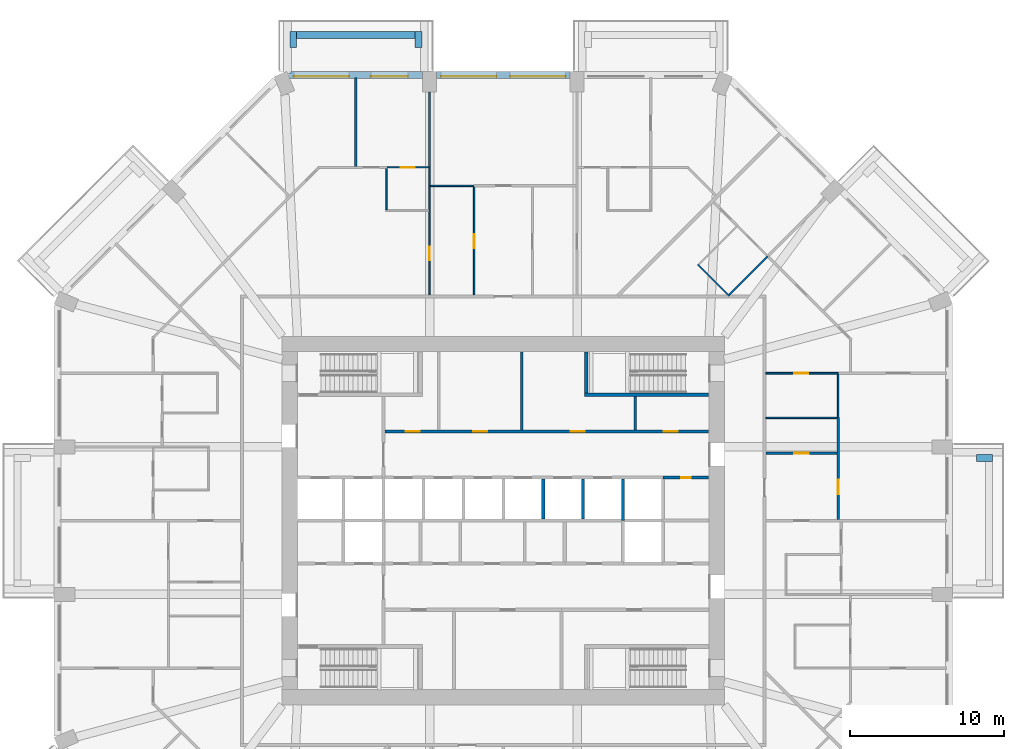
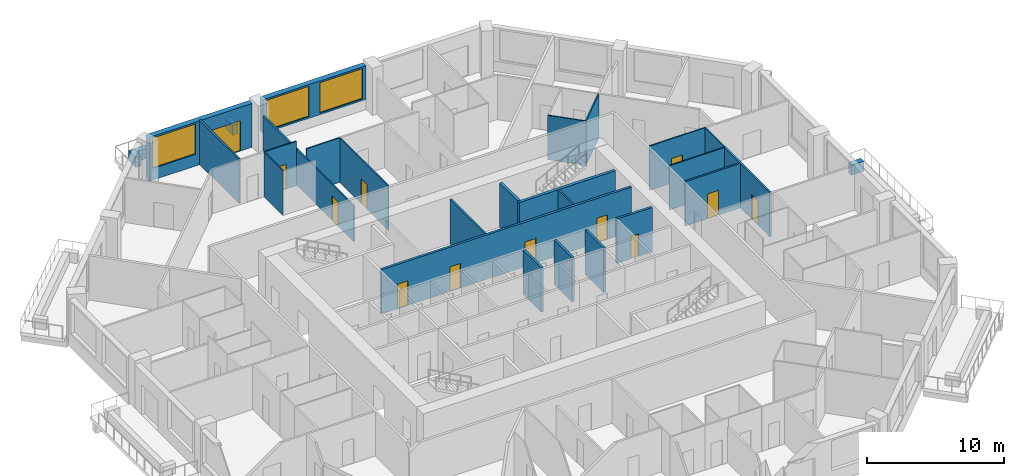
# One storey, part 9 of 13: 29 walls, 12 doors, 3 windows, 15 openings.
"""IFC4 building model written with IfcOpenShell, lengths in metres."""

from ifc_helpers import new_model, si_unit, direction, frame, frame_2d, origin, place, context, subcontext, project, spatial, rectangle, extrude, material, layer, layer_set, type_object, element, fill, save


model = new_model("IFC4")

# Units and contexts
model_context = context("Model", 3, precision=1e-05, world=origin(), true_north=direction((0.0, 1.0)))
body_context = subcontext(model_context, "Body", "Model", "MODEL_VIEW")
ifc_project = project(units=[si_unit("LENGTHUNIT", "METRE"), si_unit("AREAUNIT", "SQUARE_METRE"), si_unit("VOLUMEUNIT", "CUBIC_METRE"), si_unit("PLANEANGLEUNIT", "RADIAN"), si_unit("MASSUNIT", "GRAM", prefix="KILO")], contexts=[model_context])

# Site, building, storey
site_placement = place(None, origin())
site = spatial("IfcSite", under=ifc_project, at=site_placement, CompositionType="ELEMENT")
building_placement = place(site_placement, origin())
building = spatial("IfcBuilding", under=site, at=building_placement, Name="Msitu Wima Residences", CompositionType="ELEMENT")
storey_placement = place(building_placement, frame((0.0, 0.0, 75.89990234375)))
storey = spatial("IfcBuildingStorey", under=building, at=storey_placement, Name="L17", CompositionType="ELEMENT", Elevation=75.89990234375)

# Walls
ifc_material_1 = material(Name="Facing brick")
ifc_layer_1 = layer(ifc_material_1, 0.06494140625, Name="Facing brick")
ifc_material_2 = material(Name="Concrete C40/50", Category="concrete")
ifc_layer_2 = layer(ifc_material_2, 0.156005859375, Name="Concrete C40/50")
ifc_material_3 = material(Name="Waterproofing membrane")
ifc_layer_3 = layer(ifc_material_3, 0.00390625, Name="Waterproofing membrane")
ifc_material_4 = material(Name="Planting soil and planting")
ifc_layer_4 = layer(ifc_material_4, 0.22509765625, Name="Planting soil and planting")
ifc_layer_set_1 = layer_set([ifc_layer_1, ifc_layer_2, ifc_layer_3, ifc_layer_4], Name="Concrete C40/50")
wall_type_1 = type_object("IfcWallType", Name="Balcony planter PLANTER PL450", PredefinedType="USERDEFINED", material=ifc_layer_set_1)
wall_1_placement = place(storey_placement, frame((30.800048828125, 4.074951171875, 0.0), z_axis=(0.0, 0.0, 1.0), x_axis=(1.0, 0.0, 0.0)))
element("IfcWall", 1, at=wall_1_placement, inside=storey, type_object=wall_type_1, Name="Balcony planter E1 L17", ObjectType="PLANTER", PredefinedType="USERDEFINED", context=body_context, shape_type="SweptSolid", body=[
    extrude(rectangle(XDim=1.050048828125, YDim=0.449951171875, at=frame_2d((0.52490234375, 0.0))), origin(), (0.0, 0.0, 1.0), 0.900146484375),
])
wall_2_placement = place(storey_placement, frame((-5.75, 31.625, 0.0), z_axis=(0.0, 0.0, 1.0), x_axis=(-1.0, 0.0, 0.0)))
element("IfcWall", 2, at=wall_2_placement, inside=storey, type_object=wall_type_1, Name="Balcony planter N2 L17", ObjectType="PLANTER", PredefinedType="USERDEFINED", context=body_context, shape_type="SweptSolid", body=[
    extrude(rectangle(XDim=7.699951171875, YDim=0.449951171875, at=frame_2d((3.85009765625, 0.0))), origin(), (0.0, 0.0, 1.0), 0.900146484375),
])
for number, where, z_axis, x_axis, name in (
    (3, (-5.52490234375, 30.800048828125, 0.0), (0.0, 0.0, 1.0), (0.0, 1.0, 0.0), "Balcony planter N2 L17"),
    (4, (-13.675048828125, 30.800048828125, 0.0), (0.0, 0.0, 1.0), (0.0, 1.0, 0.0), "Balcony planter N2 L17"),
):
    element("IfcWall", number, at=place(storey_placement, frame(where, z_axis=z_axis, x_axis=x_axis)), inside=storey, type_object=wall_type_1, Name=name, ObjectType="PLANTER", PredefinedType="USERDEFINED", context=body_context, shape_type="SweptSolid", body=[
        extrude(rectangle(XDim=1.050048828125, YDim=0.449951171875, at=frame_2d((0.52490234375, 0.0))), origin(), (0.0, 0.0, 1.0), 0.900146484375),
    ])

# Wall, openings, windows
ifc_material_5 = material(Name="Brick (red buff mix)", Category="masonry")
ifc_layer_5 = layer(ifc_material_5, 0.449951171875)
ifc_layer_set_2 = layer_set([ifc_layer_5], Name="Brick (red buff mix)")
wall_type_2 = type_object("IfcWallType", Name="Brick infill wall BW450", PredefinedType="SOLIDWALL", material=ifc_layer_set_2)
wall_3_placement = place(storey_placement, frame((4.35009765625, 29.02490234375, 0.900146484375), z_axis=(0.0, 0.0, 1.0), x_axis=(-1.0, 0.0, 0.0)))
wall_3 = element("IfcWall", 5, at=wall_3_placement, inside=storey, type_object=wall_type_2, Name="Brick infill wall L17 N1", PredefinedType="SOLIDWALL", context=body_context, shape_type="SweptSolid", body=[
    extrude(rectangle(XDim=8.7001953125, YDim=0.449951171875, at=frame_2d((4.35009765625, 0.0))), origin(), (0.0, 0.0, 1.0), 3.0),
])
opening_1_placement = place(wall_3_placement, frame((0.300048828125, 0.0, 0.14990234375)))
opening_1 = element("IfcOpeningElement", 6, at=opening_1_placement, cuts=wall_3, Name="Opening W16-17.007", PredefinedType="OPENING", context=body_context, shape_type="SweptSolid", body=[
    extrude(rectangle(XDim=3.60009765625, YDim=2.699951171875, at=frame_2d((1.800048828125, 1.35009765625))), frame((0.0, 0.23486328125, 0.0), z_axis=(0.0, -1.0, 0.0), x_axis=(1.0, 0.0, 0.0)), (0.0, 0.0, 1.0), 0.469970703125),
])
opening_2_placement = place(wall_3_placement, frame((4.800048828125, 0.0, 0.14990234375)))
opening_2 = element("IfcOpeningElement", 7, at=opening_2_placement, cuts=wall_3, Name="Opening W16-17.008", PredefinedType="OPENING", context=body_context, shape_type="SweptSolid", body=[
    extrude(rectangle(XDim=3.60009765625, YDim=2.699951171875, at=frame_2d((1.800048828125, 1.35009765625))), frame((0.0, 0.23486328125, 0.0), z_axis=(0.0, -1.0, 0.0), x_axis=(1.0, 0.0, 0.0)), (0.0, 0.0, 1.0), 0.469970703125),
])
ifc_material_6 = material(Name="Anodised aluminium, bronze finish, clear low-emissivity double glazing", Category="aluminium")
window_type = type_object("IfcWindowType", Name="Window W3600x2700", PartitioningType="DOUBLE_PANEL_VERTICAL", PredefinedType="WINDOW", material=ifc_material_6)
window_1_placement = place(opening_1_placement, origin())
window_1 = element("IfcWindow", 8, at=window_1_placement, inside=storey, type_object=window_type, Name="Window L17 N1.1", OverallHeight=2.699951171875, OverallWidth=3.60009765625, PartitioningType="SINGLE_PANEL", PredefinedType="WINDOW", context=body_context, shape_type="SweptSolid", body=[
    extrude(rectangle(XDim=3.60009765625, YDim=2.699951171875, at=frame_2d((1.800048828125, 1.35009765625))), frame((0.0, 0.135009765625, 0.0), z_axis=(0.0, -1.0, 0.0), x_axis=(1.0, 0.0, 0.0)), (0.0, 0.0, 1.0), 0.06005859375),
])
fill(opening_1, window_1)
window_2_placement = place(opening_2_placement, origin())
window_2 = element("IfcWindow", 9, at=window_2_placement, inside=storey, type_object=window_type, Name="Window L17 N1.2", OverallHeight=2.699951171875, OverallWidth=3.60009765625, PartitioningType="SINGLE_PANEL", PredefinedType="WINDOW", context=body_context, shape_type="SweptSolid", body=[
    extrude(rectangle(XDim=3.60009765625, YDim=2.699951171875, at=frame_2d((1.800048828125, 1.35009765625))), frame((0.0, 0.135009765625, 0.0), z_axis=(0.0, -1.0, 0.0), x_axis=(1.0, 0.0, 0.0)), (0.0, 0.0, 1.0), 0.06005859375),
])
fill(opening_2, window_2)

# Wall, openings, door, window
wall_4_placement = place(storey_placement, frame((-5.25, 29.02490234375, 0.0), z_axis=(0.0, 0.0, 1.0), x_axis=(-1.0, 0.0, 0.0)))
wall_4 = element("IfcWall", 10, at=wall_4_placement, inside=storey, type_object=wall_type_2, Name="Brick infill wall L17 N2", PredefinedType="SOLIDWALL", context=body_context, shape_type="SweptSolid", body=[
    extrude(rectangle(XDim=8.662841796875, YDim=0.449951171875, at=frame_2d((4.33154296875, 0.0))), origin(), (0.0, 0.0, 1.0), 3.900146484375),
])
opening_3_placement = place(wall_4_placement, frame((0.9658203125, 0.0, 0.0)))
opening_3 = element("IfcOpeningElement", 11, at=opening_3_placement, cuts=wall_4, Name="Opening D16-17.003", PredefinedType="OPENING", context=body_context, shape_type="SweptSolid", body=[
    extrude(rectangle(XDim=2.39990234375, YDim=2.699951171875, at=frame_2d((1.199951171875, 1.35009765625))), frame((0.0, 0.23486328125, 0.0), z_axis=(0.0, -1.0, 0.0), x_axis=(1.0, 0.0, 0.0)), (0.0, 0.0, 1.0), 0.469970703125),
])
opening_4_placement = place(wall_4_placement, frame((4.781494140625, 0.0, 1.050048828125)))
opening_4 = element("IfcOpeningElement", 12, at=opening_4_placement, cuts=wall_4, Name="Opening W16-17.009", PredefinedType="OPENING", context=body_context, shape_type="SweptSolid", body=[
    extrude(rectangle(XDim=3.60009765625, YDim=2.699951171875, at=frame_2d((1.800048828125, 1.35009765625))), frame((0.0, 0.23486328125, 0.0), z_axis=(0.0, -1.0, 0.0), x_axis=(1.0, 0.0, 0.0)), (0.0, 0.0, 1.0), 0.469970703125),
])
door_type_1 = type_object("IfcDoorType", Name="Balcony door D2400x2700", OperationType="SLIDING_TO_LEFT", PredefinedType="DOOR", material=ifc_material_6)
door_1_placement = place(opening_3_placement, origin())
door_1 = element("IfcDoor", 13, at=door_1_placement, inside=storey, type_object=door_type_1, Name="Balcony door L17 N2", OperationType="SINGLE_SWING_LEFT", OverallHeight=2.699951171875, OverallWidth=2.39990234375, PredefinedType="DOOR", context=body_context, shape_type="SweptSolid", body=[
    extrude(rectangle(XDim=2.39990234375, YDim=2.699951171875, at=frame_2d((1.199951171875, 1.35009765625))), frame((0.0, 0.1298828125, 0.0), z_axis=(0.0, -1.0, 0.0), x_axis=(1.0, 0.0, 0.0)), (0.0, 0.0, 1.0), 0.050048828125),
])
fill(opening_3, door_1)
window_3_placement = place(opening_4_placement, origin())
window_3 = element("IfcWindow", 14, at=window_3_placement, inside=storey, type_object=window_type, Name="Window L17 N2.2", OverallHeight=2.699951171875, OverallWidth=3.60009765625, PartitioningType="SINGLE_PANEL", PredefinedType="WINDOW", context=body_context, shape_type="SweptSolid", body=[
    extrude(rectangle(XDim=3.60009765625, YDim=2.699951171875, at=frame_2d((1.800048828125, 1.35009765625))), frame((0.0, 0.135009765625, 0.0), z_axis=(0.0, -1.0, 0.0), x_axis=(1.0, 0.0, 0.0)), (0.0, 0.0, 1.0), 0.06005859375),
])
fill(opening_4, window_3)

# Wall, openings, doors
ifc_material_7 = material(Name="Plaster")
ifc_layer_6 = layer(ifc_material_7, 0.011962890625, Name="Plaster")
ifc_material_8 = material(Name="Concrete blockwork", Category="masonry")
ifc_layer_7 = layer(ifc_material_8, 0.176025390625, Name="Concrete blockwork")
ifc_layer_8 = layer(ifc_material_7, 0.011962890625, Name="Plaster")
ifc_layer_set_3 = layer_set([ifc_layer_6, ifc_layer_7, ifc_layer_8], Name="Concrete blockwork")
wall_type_3 = type_object("IfcWallType", Name="Corridor wall FW200", PredefinedType="PARTITIONING", material=ifc_layer_set_3)
wall_5_placement = place(storey_placement, frame((-7.699951171875, 5.800048828125, 0.0), z_axis=(0.0, 0.0, 1.0), x_axis=(1.0, 0.0, 0.0)))
wall_5 = element("IfcWall", 15, at=wall_5_placement, inside=storey, type_object=wall_type_3, Name="Corridor wall", PredefinedType="PARTITIONING", context=body_context, shape_type="SweptSolid", body=[
    extrude(rectangle(XDim=21.070068359375, YDim=0.199951171875, at=frame_2d((10.53515625, 0.0))), origin(), (0.0, 0.0, 1.0), 3.9501953125),
])
opening_5_placement = place(wall_5_placement, frame((1.35009765625, 0.0, 0.0)))
opening_5 = element("IfcOpeningElement", 16, at=opening_5_placement, cuts=wall_5, Name="Opening D16-17.020", PredefinedType="OPENING", context=body_context, shape_type="SweptSolid", body=[
    extrude(rectangle(XDim=0.89990234375, YDim=2.199951171875, at=frame_2d((0.449951171875, 1.10009765625))), frame((0.0, 0.10986328125, 0.0), z_axis=(0.0, -1.0, 0.0), x_axis=(1.0, 0.0, 0.0)), (0.0, 0.0, 1.0), 0.219970703125),
])
opening_6_placement = place(wall_5_placement, frame((5.75, 0.0, 0.0)))
opening_6 = element("IfcOpeningElement", 17, at=opening_6_placement, cuts=wall_5, Name="Opening D16-17.021", PredefinedType="OPENING", context=body_context, shape_type="SweptSolid", body=[
    extrude(rectangle(XDim=0.89990234375, YDim=2.199951171875, at=frame_2d((0.449951171875, 1.10009765625))), frame((0.0, 0.10986328125, 0.0), z_axis=(0.0, -1.0, 0.0), x_axis=(1.0, 0.0, 0.0)), (0.0, 0.0, 1.0), 0.219970703125),
])
opening_7_placement = place(wall_5_placement, frame((12.10009765625, 0.0, 0.0)))
opening_7 = element("IfcOpeningElement", 18, at=opening_7_placement, cuts=wall_5, Name="Opening D16-17.022", PredefinedType="OPENING", context=body_context, shape_type="SweptSolid", body=[
    extrude(rectangle(XDim=0.89990234375, YDim=2.199951171875, at=frame_2d((0.449951171875, 1.10009765625))), frame((0.0, 0.10986328125, 0.0), z_axis=(0.0, -1.0, 0.0), x_axis=(1.0, 0.0, 0.0)), (0.0, 0.0, 1.0), 0.219970703125),
])
opening_8_placement = place(wall_5_placement, frame((18.14990234375, 0.0, 0.0)))
opening_8 = element("IfcOpeningElement", 19, at=opening_8_placement, cuts=wall_5, Name="Opening D16-17.023", PredefinedType="OPENING", context=body_context, shape_type="SweptSolid", body=[
    extrude(rectangle(XDim=0.89990234375, YDim=2.199951171875, at=frame_2d((0.449951171875, 1.10009765625))), frame((0.0, 0.10986328125, 0.0), z_axis=(0.0, -1.0, 0.0), x_axis=(1.0, 0.0, 0.0)), (0.0, 0.0, 1.0), 0.219970703125),
])
ifc_material_9 = material(Name="Timber flush door", Category="wood")
door_type_2 = type_object("IfcDoorType", Name="Service door D05 900x2200", OperationType="SINGLE_SWING_LEFT", PredefinedType="DOOR", material=ifc_material_9)
door_2_placement = place(opening_5_placement, origin())
door_2 = element("IfcDoor", 20, at=door_2_placement, inside=storey, type_object=door_type_2, Name="Service door", OperationType="SINGLE_SWING_RIGHT", OverallHeight=2.199951171875, OverallWidth=0.89990234375, PredefinedType="DOOR", context=body_context, shape_type="SweptSolid", body=[
    extrude(rectangle(XDim=0.89990234375, YDim=2.199951171875, at=frame_2d((0.449951171875, 1.10009765625))), frame((0.0, 0.02490234375, 0.0), z_axis=(0.0, -1.0, 0.0), x_axis=(1.0, 0.0, 0.0)), (0.0, 0.0, 1.0), 0.050048828125),
])
fill(opening_5, door_2)
door_3_placement = place(opening_6_placement, origin())
door_3 = element("IfcDoor", 21, at=door_3_placement, inside=storey, type_object=door_type_2, Name="Service door", OperationType="SINGLE_SWING_LEFT", OverallHeight=2.199951171875, OverallWidth=0.89990234375, PredefinedType="DOOR", context=body_context, shape_type="SweptSolid", body=[
    extrude(rectangle(XDim=0.89990234375, YDim=2.199951171875, at=frame_2d((0.449951171875, 1.10009765625))), frame((0.0, 0.02490234375, 0.0), z_axis=(0.0, -1.0, 0.0), x_axis=(1.0, 0.0, 0.0)), (0.0, 0.0, 1.0), 0.050048828125),
])
fill(opening_6, door_3)
door_4_placement = place(opening_7_placement, origin())
door_4 = element("IfcDoor", 22, at=door_4_placement, inside=storey, type_object=door_type_2, Name="Service door", OperationType="SINGLE_SWING_RIGHT", OverallHeight=2.199951171875, OverallWidth=0.89990234375, PredefinedType="DOOR", context=body_context, shape_type="SweptSolid", body=[
    extrude(rectangle(XDim=0.89990234375, YDim=2.199951171875, at=frame_2d((0.449951171875, 1.10009765625))), frame((0.0, 0.02490234375, 0.0), z_axis=(0.0, -1.0, 0.0), x_axis=(1.0, 0.0, 0.0)), (0.0, 0.0, 1.0), 0.050048828125),
])
fill(opening_7, door_4)
door_5_placement = place(opening_8_placement, origin())
door_5 = element("IfcDoor", 23, at=door_5_placement, inside=storey, type_object=door_type_2, Name="Service door", OperationType="SINGLE_SWING_LEFT", OverallHeight=2.199951171875, OverallWidth=0.89990234375, PredefinedType="DOOR", context=body_context, shape_type="SweptSolid", body=[
    extrude(rectangle(XDim=0.89990234375, YDim=2.199951171875, at=frame_2d((0.449951171875, 1.10009765625))), frame((0.0, 0.02490234375, 0.0), z_axis=(0.0, -1.0, 0.0), x_axis=(1.0, 0.0, 0.0)), (0.0, 0.0, 1.0), 0.050048828125),
])
fill(opening_8, door_5)

# Walls
ifc_layer_9 = layer(ifc_material_7, 0.011962890625, Name="Plaster")
ifc_layer_10 = layer(ifc_material_8, 0.1259765625, Name="Concrete blockwork")
ifc_layer_11 = layer(ifc_material_7, 0.011962890625, Name="Plaster")
ifc_layer_set_4 = layer_set([ifc_layer_9, ifc_layer_10, ifc_layer_11], Name="Concrete blockwork")
wall_type_4 = type_object("IfcWallType", Name="Partition PW150", PredefinedType="PARTITIONING", material=ifc_layer_set_4)
wall_6_placement = place(storey_placement, frame((-9.60009765625, 23.074951171875, 0.0), z_axis=(0.0, 0.0, 1.0), x_axis=(0.0, 1.0, 0.0)))
element("IfcWall", 24, at=wall_6_placement, inside=storey, type_object=wall_type_4, Name="Partition", PredefinedType="PARTITIONING", context=body_context, shape_type="SweptSolid", body=[
    extrude(rectangle(XDim=5.780029296875, YDim=0.14990234375, at=frame_2d((2.89013671875, 0.0))), origin(), (0.0, 0.0, 1.0), 3.9501953125),
])
wall_7_placement = place(storey_placement, frame((-4.800048828125, 23.02001953125, 0.0), z_axis=(0.0, 0.0, 1.0), x_axis=(0.0, 1.0, 0.0)))
element("IfcWall", 25, at=wall_7_placement, inside=storey, type_object=wall_type_4, Name="Partition", PredefinedType="PARTITIONING", context=body_context, shape_type="SweptSolid", body=[
    extrude(rectangle(XDim=4.8798828125, YDim=0.14990234375, at=frame_2d((2.43994140625, 0.0))), origin(), (0.0, 0.0, 1.0), 3.2001953125),
])
wall_8_placement = place(storey_placement, frame((1.199951171875, 5.89990234375, 0.0), z_axis=(0.0, 0.0, 1.0), x_axis=(0.0, 1.0, 0.0)))
element("IfcWall", 26, at=wall_8_placement, inside=storey, type_object=wall_type_4, Name="Partition", PredefinedType="PARTITIONING", context=body_context, shape_type="SweptSolid", body=[
    extrude(rectangle(XDim=5.070068359375, YDim=0.14990234375, at=frame_2d((2.53515625, 0.0))), origin(), (0.0, 0.0, 1.0), 3.9501953125),
])
wall_9_placement = place(storey_placement, frame((8.60009765625, 5.89990234375, 0.0), z_axis=(0.0, 0.0, 1.0), x_axis=(0.0, 1.0, 0.0)))
element("IfcWall", 27, at=wall_9_placement, inside=storey, type_object=wall_type_4, Name="Partition", PredefinedType="PARTITIONING", context=body_context, shape_type="SweptSolid", body=[
    extrude(rectangle(XDim=2.175048828125, YDim=0.14990234375, at=frame_2d((1.08740234375, 0.0))), origin(), (0.0, 0.0, 1.0), 3.9501953125),
])

# Wall, opening, door
wall_10_placement = place(storey_placement, frame((17.10009765625, 4.39990234375, 0.0), z_axis=(0.0, 0.0, 1.0), x_axis=(1.0, 0.0, 0.0)))
wall_10 = element("IfcWall", 28, at=wall_10_placement, inside=storey, type_object=wall_type_4, Name="Partition", PredefinedType="PARTITIONING", context=body_context, shape_type="SweptSolid", body=[
    extrude(rectangle(XDim=4.625, YDim=0.14990234375, at=frame_2d((2.3125, 0.0))), origin(), (0.0, 0.0, 1.0), 3.9501953125),
])
opening_9_placement = place(wall_10_placement, frame((1.85009765625, 0.0, 0.0)))
opening_9 = element("IfcOpeningElement", 29, at=opening_9_placement, cuts=wall_10, Name="Opening D16-17.081", PredefinedType="OPENING", context=body_context, shape_type="SweptSolid", body=[
    extrude(rectangle(XDim=0.949951171875, YDim=2.199951171875, at=frame_2d((0.47509765625, 1.10009765625))), frame((0.0, 0.0849609375, 0.0), z_axis=(0.0, -1.0, 0.0), x_axis=(1.0, 0.0, 0.0)), (0.0, 0.0, 1.0), 0.169921875),
])
door_type_3 = type_object("IfcDoorType", Name="Room door D12 950x2200", OperationType="SINGLE_SWING_LEFT", PredefinedType="DOOR", material=ifc_material_9)
door_6_placement = place(opening_9_placement, origin())
door_6 = element("IfcDoor", 30, at=door_6_placement, inside=storey, type_object=door_type_3, Name="Room door", OperationType="SINGLE_SWING_RIGHT", OverallHeight=2.199951171875, OverallWidth=0.949951171875, PredefinedType="DOOR", context=body_context, shape_type="SweptSolid", body=[
    extrude(rectangle(XDim=0.949951171875, YDim=2.199951171875, at=frame_2d((0.47509765625, 1.10009765625))), frame((0.0, 0.02490234375, 0.0), z_axis=(0.0, -1.0, 0.0), x_axis=(1.0, 0.0, 0.0)), (0.0, 0.0, 1.0), 0.050048828125),
])
fill(opening_9, door_6)

wall_11_placement = place(storey_placement, frame((21.800048828125, 0.074951171875, 0.0), z_axis=(0.0, 0.0, 1.0), x_axis=(0.0, 1.0, 0.0)))
wall_11 = element("IfcWall", 31, at=wall_11_placement, inside=storey, type_object=wall_type_4, Name="Partition", PredefinedType="PARTITIONING", context=body_context, shape_type="SweptSolid", body=[
    extrude(rectangle(XDim=6.64501953125, YDim=0.14990234375, at=frame_2d((3.322509765625, 0.0))), origin(), (0.0, 0.0, 1.0), 3.9501953125),
])
opening_10_placement = place(wall_11_placement, frame((1.64990234375, 0.0, 0.0)))
opening_10 = element("IfcOpeningElement", 32, at=opening_10_placement, cuts=wall_11, Name="Opening D16-17.077", PredefinedType="OPENING", context=body_context, shape_type="SweptSolid", body=[
    extrude(rectangle(XDim=0.949951171875, YDim=2.199951171875, at=frame_2d((0.47509765625, 1.10009765625))), frame((0.0, 0.0849609375, 0.0), z_axis=(0.0, -1.0, 0.0), x_axis=(1.0, 0.0, 0.0)), (0.0, 0.0, 1.0), 0.169921875),
])
door_7_placement = place(opening_10_placement, origin())
door_7 = element("IfcDoor", 33, at=door_7_placement, inside=storey, type_object=door_type_3, Name="Room door", OperationType="SINGLE_SWING_RIGHT", OverallHeight=2.199951171875, OverallWidth=0.949951171875, PredefinedType="DOOR", context=body_context, shape_type="SweptSolid", body=[
    extrude(rectangle(XDim=0.949951171875, YDim=2.199951171875, at=frame_2d((0.47509765625, 1.10009765625))), frame((0.0, 0.02490234375, 0.0), z_axis=(0.0, -1.0, 0.0), x_axis=(1.0, 0.0, 0.0)), (0.0, 0.0, 1.0), 0.050048828125),
])
fill(opening_10, door_7)

ifc_layer_12 = layer(ifc_material_7, 0.011962890625, Name="Plaster")
ifc_material_10 = material(Name="Reinforced concrete blockwork", Category="masonry")
ifc_layer_13 = layer(ifc_material_10, 0.176025390625, Name="Reinforced concrete blockwork")
ifc_layer_14 = layer(ifc_material_7, 0.011962890625, Name="Plaster")
ifc_layer_set_5 = layer_set([ifc_layer_12, ifc_layer_13, ifc_layer_14], Name="Reinforced concrete blockwork")
wall_type_5 = type_object("IfcWallType", Name="Plant and riser wall PL200", PredefinedType="PARTITIONING", material=ifc_layer_set_5)
wall_12_placement = place(storey_placement, frame((10.39990234375, 2.800048828125, 0.0), z_axis=(0.0, 0.0, 1.0), x_axis=(1.0, 0.0, 0.0)))
wall_12 = element("IfcWall", 34, at=wall_12_placement, inside=storey, type_object=wall_type_5, Name="Plant and riser wall", PredefinedType="PARTITIONING", context=body_context, shape_type="SweptSolid", body=[
    extrude(rectangle(XDim=2.97021484375, YDim=0.199951171875, at=frame_2d((1.485107421875, 0.0))), origin(), (0.0, 0.0, 1.0), 3.9501953125),
])
opening_11_placement = place(wall_12_placement, frame((1.199951171875, 0.0, 0.0)))
opening_11 = element("IfcOpeningElement", 35, at=opening_11_placement, cuts=wall_12, Name="Opening D16-17.029", PredefinedType="OPENING", context=body_context, shape_type="SweptSolid", body=[
    extrude(rectangle(XDim=0.60009765625, YDim=2.0, at=frame_2d((0.300048828125, 1.0))), frame((0.0, 0.10986328125, 0.0), z_axis=(0.0, -1.0, 0.0), x_axis=(1.0, 0.0, 0.0)), (0.0, 0.0, 1.0), 0.219970703125),
])
ifc_material_11 = material(Name="Steel access door, fire resisting", Category="steel")
door_type_4 = type_object("IfcDoorType", Name="Riser access door D08 600x2000", OperationType="SINGLE_SWING_LEFT", PredefinedType="DOOR", material=ifc_material_11)
door_8_placement = place(opening_11_placement, origin())
door_8 = element("IfcDoor", 36, at=door_8_placement, inside=storey, type_object=door_type_4, Name="Riser access door", OperationType="SINGLE_SWING_RIGHT", OverallHeight=2.0, OverallWidth=0.60009765625, PredefinedType="DOOR", context=body_context, shape_type="SweptSolid", body=[
    extrude(rectangle(XDim=0.60009765625, YDim=2.0, at=frame_2d((0.300048828125, 1.0))), frame((0.0, 0.02490234375, 0.0), z_axis=(0.0, -1.0, 0.0), x_axis=(1.0, 0.0, 0.0)), (0.0, 0.0, 1.0), 0.050048828125),
])
fill(opening_11, door_8)

# Walls
ifc_material_12 = material(Name="Fire-rated board")
ifc_layer_15 = layer(ifc_material_12, 0.02490234375, Name="Fire-rated board")
ifc_material_13 = material(Name="Light-gauge stud framing with mineral wool")
ifc_layer_16 = layer(ifc_material_13, 0.14990234375, Name="Light-gauge stud framing with mineral wool")
ifc_layer_17 = layer(ifc_material_12, 0.02490234375, Name="Fire-rated board")
ifc_layer_set_6 = layer_set([ifc_layer_15, ifc_layer_16, ifc_layer_17], Name="Light-gauge stud framing with mineral wool")
wall_type_6 = type_object("IfcWallType", Name="Shaft wall SH200", PredefinedType="PARTITIONING", material=ifc_layer_set_6)
for number, where, z_axis, x_axis, name in (
    (37, (2.60009765625, 0.10009765625, 0.0), (0.0, 0.0, 1.0), (0.0, 1.0, 0.0), "Shaft wall"),
    (38, (5.199951171875, 0.10009765625, 0.0), (0.0, 0.0, 1.0), (0.0, 1.0, 0.0), "Shaft wall"),
):
    element("IfcWall", number, at=place(storey_placement, frame(where, z_axis=z_axis, x_axis=x_axis)), inside=storey, type_object=wall_type_6, Name=name, PredefinedType="PARTITIONING", context=body_context, shape_type="SweptSolid", body=[
        extrude(rectangle(XDim=2.599853515625, YDim=0.199951171875, at=frame_2d((1.2998046875, 0.0))), origin(), (0.0, 0.0, 1.0), 3.9501953125),
    ])
wall_13_placement = place(storey_placement, frame((7.800048828125, 0.0, 0.0), z_axis=(0.0, 0.0, 1.0), x_axis=(0.0, 1.0, 0.0)))
element("IfcWall", 39, at=wall_13_placement, inside=storey, type_object=wall_type_6, Name="Shaft wall", PredefinedType="PARTITIONING", context=body_context, shape_type="SweptSolid", body=[
    extrude(rectangle(XDim=2.699951171875, YDim=0.199951171875, at=frame_2d((1.35009765625, 0.0))), origin(), (0.0, 0.0, 1.0), 3.9501953125),
])
ifc_material_14 = material(Name="Concrete C50/60", Category="concrete")
ifc_layer_18 = layer(ifc_material_14, 0.25)
ifc_layer_set_7 = layer_set([ifc_layer_18], Name="Concrete C50/60")
wall_type_7 = type_object("IfcWallType", Name="Stair enclosure wall SW250", PredefinedType="SHEAR", material=ifc_layer_set_7)
wall_14_placement = place(storey_placement, frame((5.39990234375, 8.324951171875, 0.0), z_axis=(0.0, 0.0, 1.0), x_axis=(0.0, 1.0, 0.0)))
element("IfcWall", 40, at=wall_14_placement, inside=storey, type_object=wall_type_7, Name="Stair enclosure wall", PredefinedType="SHEAR", context=body_context, shape_type="SweptSolid", body=[
    extrude(rectangle(XDim=2.64501953125, YDim=0.25, at=frame_2d((1.322509765625, 0.0))), origin(), (0.0, 0.0, 1.0), 3.9501953125),
])
wall_15_placement = place(storey_placement, frame((5.27490234375, 8.199951171875, 0.0), z_axis=(0.0, 0.0, 1.0), x_axis=(1.0, 0.0, 0.0)))
element("IfcWall", 41, at=wall_15_placement, inside=storey, type_object=wall_type_7, Name="Stair enclosure wall", PredefinedType="SHEAR", context=body_context, shape_type="SweptSolid", body=[
    extrude(rectangle(XDim=8.09521484375, YDim=0.25, at=frame_2d((4.047607421875, 0.0))), origin(), (0.0, 0.0, 1.0), 3.9501953125),
])

# Wall, opening, door
ifc_material_15 = material(Name="Ceramic tiles")
ifc_layer_19 = layer(ifc_material_15, 0.008056640625, Name="Ceramic tiles")
ifc_material_16 = material(Name="Moisture-resistant board")
ifc_layer_20 = layer(ifc_material_16, 0.012451171875, Name="Moisture-resistant board")
ifc_layer_21 = layer(ifc_material_13, 0.06689453125, Name="Light-gauge stud framing with mineral wool")
ifc_layer_22 = layer(ifc_material_16, 0.012451171875, Name="Moisture-resistant board")
ifc_layer_set_8 = layer_set([ifc_layer_19, ifc_layer_20, ifc_layer_21, ifc_layer_22], Name="Light-gauge stud framing with mineral wool")
wall_type_8 = type_object("IfcWallType", Name="Wet wall PW100", PredefinedType="PARTITIONING", material=ifc_layer_set_8)
wall_16_placement = place(storey_placement, frame((-7.580078125, 23.0, 0.0), z_axis=(0.0, 0.0, 1.0), x_axis=(1.0, 0.0, 0.0)))
wall_16 = element("IfcWall", 42, at=wall_16_placement, inside=storey, type_object=wall_type_8, Name="Wet wall", PredefinedType="PARTITIONING", context=body_context, shape_type="SweptSolid", body=[
    extrude(rectangle(XDim=2.705078125, YDim=0.10009765625, at=frame_2d((1.3525390625, 0.0))), origin(), (0.0, 0.0, 1.0), 3.9501953125),
])
opening_12_placement = place(wall_16_placement, frame((0.89990234375, 0.0, 0.0)))
opening_12 = element("IfcOpeningElement", 43, at=opening_12_placement, cuts=wall_16, Name="Opening D16-17.091", PredefinedType="OPENING", context=body_context, shape_type="SweptSolid", body=[
    extrude(rectangle(XDim=0.89990234375, YDim=2.199951171875, at=frame_2d((0.449951171875, 1.10009765625))), frame((0.0, 0.06005859375, 0.0), z_axis=(0.0, -1.0, 0.0), x_axis=(1.0, 0.0, 0.0)), (0.0, 0.0, 1.0), 0.1201171875),
])
ifc_material_17 = material(Name="Timber flush door, moisture resistant", Category="wood")
door_type_5 = type_object("IfcDoorType", Name="Bathroom door D03 900x2200", OperationType="SINGLE_SWING_LEFT", PredefinedType="DOOR", material=ifc_material_17)
door_9_placement = place(opening_12_placement, origin())
door_9 = element("IfcDoor", 44, at=door_9_placement, inside=storey, type_object=door_type_5, Name="Bathroom door", OperationType="SINGLE_SWING_RIGHT", OverallHeight=2.199951171875, OverallWidth=0.89990234375, PredefinedType="DOOR", context=body_context, shape_type="SweptSolid", body=[
    extrude(rectangle(XDim=0.89990234375, YDim=2.199951171875, at=frame_2d((0.449951171875, 1.10009765625))), frame((0.0, 0.02490234375, 0.0), z_axis=(0.0, -1.0, 0.0), x_axis=(1.0, 0.0, 0.0)), (0.0, 0.0, 1.0), 0.050048828125),
])
fill(opening_12, door_9)

# Wall
wall_17_placement = place(storey_placement, frame((-7.60009765625, 20.25, 0.0), z_axis=(0.0, 0.0, 1.0), x_axis=(0.0, 1.0, 0.0)))
element("IfcWall", 45, at=wall_17_placement, inside=storey, type_object=wall_type_8, Name="Wet wall", PredefinedType="PARTITIONING", context=body_context, shape_type="SweptSolid", body=[
    extrude(rectangle(XDim=2.675048828125, YDim=0.10009765625, at=frame_2d((1.33740234375, 0.0))), origin(), (0.0, 0.0, 1.0), 3.9501953125),
])

# Wall, opening, door
wall_18_placement = place(storey_placement, frame((-4.800048828125, 14.699951171875, 0.0), z_axis=(0.0, 0.0, 1.0), x_axis=(0.0, 1.0, 0.0)))
wall_18 = element("IfcWall", 46, at=wall_18_placement, inside=storey, type_object=wall_type_8, Name="Wet wall", PredefinedType="PARTITIONING", context=body_context, shape_type="SweptSolid", body=[
    extrude(rectangle(XDim=8.320068359375, YDim=0.10009765625, at=frame_2d((4.16015625, 0.0))), origin(), (0.0, 0.0, 1.0), 3.2001953125),
])
opening_13_placement = place(wall_18_placement, frame((2.25, 0.0, 0.0)))
opening_13 = element("IfcOpeningElement", 47, at=opening_13_placement, cuts=wall_18, Name="Opening D16-17.075", PredefinedType="OPENING", context=body_context, shape_type="SweptSolid", body=[
    extrude(rectangle(XDim=0.89990234375, YDim=2.199951171875, at=frame_2d((0.449951171875, 1.10009765625))), frame((0.0, 0.06005859375, 0.0), z_axis=(0.0, -1.0, 0.0), x_axis=(1.0, 0.0, 0.0)), (0.0, 0.0, 1.0), 0.1201171875),
])
door_10_placement = place(opening_13_placement, origin())
door_10 = element("IfcDoor", 48, at=door_10_placement, inside=storey, type_object=door_type_5, Name="Bathroom door", OperationType="SINGLE_SWING_RIGHT", OverallHeight=2.199951171875, OverallWidth=0.89990234375, PredefinedType="DOOR", context=body_context, shape_type="SweptSolid", body=[
    extrude(rectangle(XDim=0.89990234375, YDim=2.199951171875, at=frame_2d((0.449951171875, 1.10009765625))), frame((0.0, 0.02490234375, 0.0), z_axis=(0.0, -1.0, 0.0), x_axis=(1.0, 0.0, 0.0)), (0.0, 0.0, 1.0), 0.050048828125),
])
fill(opening_13, door_10)

# Wall
wall_19_placement = place(storey_placement, frame((-4.75, 21.800048828125, 0.0), z_axis=(0.0, 0.0, 1.0), x_axis=(1.0, 0.0, 0.0)))
element("IfcWall", 49, at=wall_19_placement, inside=storey, type_object=wall_type_8, Name="Wet wall", PredefinedType="PARTITIONING", context=body_context, shape_type="SweptSolid", body=[
    extrude(rectangle(XDim=2.830078125, YDim=0.10009765625, at=frame_2d((1.4150390625, 0.0))), origin(), (0.0, 0.0, 1.0), 3.9501953125),
])

# Wall, opening, door
wall_20_placement = place(storey_placement, frame((-1.89990234375, 14.699951171875, 0.0), z_axis=(0.0, 0.0, 1.0), x_axis=(0.0, 1.0, 0.0)))
wall_20 = element("IfcWall", 50, at=wall_20_placement, inside=storey, type_object=wall_type_8, Name="Wet wall", PredefinedType="PARTITIONING", context=body_context, shape_type="SweptSolid", body=[
    extrude(rectangle(XDim=7.025146484375, YDim=0.10009765625, at=frame_2d((3.5126953125, 0.0))), origin(), (0.0, 0.0, 1.0), 3.9501953125),
])
opening_14_placement = place(wall_20_placement, frame((3.050048828125, 0.0, 0.0)))
opening_14 = element("IfcOpeningElement", 51, at=opening_14_placement, cuts=wall_20, Name="Opening D16-17.042", PredefinedType="OPENING", context=body_context, shape_type="SweptSolid", body=[
    extrude(rectangle(XDim=0.89990234375, YDim=2.199951171875, at=frame_2d((0.449951171875, 1.10009765625))), frame((0.0, 0.06005859375, 0.0), z_axis=(0.0, -1.0, 0.0), x_axis=(1.0, 0.0, 0.0)), (0.0, 0.0, 1.0), 0.1201171875),
])
door_11_placement = place(opening_14_placement, origin())
door_11 = element("IfcDoor", 52, at=door_11_placement, inside=storey, type_object=door_type_5, Name="Bathroom door", OperationType="SINGLE_SWING_LEFT", OverallHeight=2.199951171875, OverallWidth=0.89990234375, PredefinedType="DOOR", context=body_context, shape_type="SweptSolid", body=[
    extrude(rectangle(XDim=0.89990234375, YDim=2.199951171875, at=frame_2d((0.449951171875, 1.10009765625))), frame((0.0, 0.02490234375, 0.0), z_axis=(0.0, -1.0, 0.0), x_axis=(1.0, 0.0, 0.0)), (0.0, 0.0, 1.0), 0.050048828125),
])
fill(opening_14, door_11)

# Walls
wall_21_placement = place(storey_placement, frame((12.655029296875, 16.685546875, 0.0), z_axis=(0.0, 0.0, 1.0), x_axis=(0.707148872128, -0.707064687739, 0.0)))
element("IfcWall", 53, at=wall_21_placement, inside=storey, type_object=wall_type_8, Name="Wet wall", PredefinedType="PARTITIONING", context=body_context, shape_type="SweptSolid", body=[
    extrude(rectangle(XDim=2.900146484375, YDim=0.10009765625, at=frame_2d((1.4501953125, 0.0))), origin(), (0.0, 0.0, 1.0), 3.9501953125),
])
wall_22_placement = place(storey_placement, frame((14.705810546875, 14.705810546875, 0.0), z_axis=(0.0, 0.0, 1.0), x_axis=(0.707106781187, 0.707106781187, 0.0)))
element("IfcWall", 54, at=wall_22_placement, inside=storey, type_object=wall_type_8, Name="Wet wall", PredefinedType="PARTITIONING", context=body_context, shape_type="SweptSolid", body=[
    extrude(rectangle(XDim=3.530029296875, YDim=0.10009765625, at=frame_2d((1.76513671875, 0.0))), origin(), (0.0, 0.0, 1.0), 3.9501953125),
])
wall_23_placement = place(storey_placement, frame((17.10009765625, 6.699951171875, 0.0), z_axis=(0.0, 0.0, 1.0), x_axis=(1.0, 0.0, 0.0)))
element("IfcWall", 55, at=wall_23_placement, inside=storey, type_object=wall_type_8, Name="Wet wall", PredefinedType="PARTITIONING", context=body_context, shape_type="SweptSolid", body=[
    extrude(rectangle(XDim=4.625, YDim=0.10009765625, at=frame_2d((2.3125, 0.0))), origin(), (0.0, 0.0, 1.0), 3.9501953125),
])

# Wall, opening, door
wall_24_placement = place(storey_placement, frame((17.10009765625, 9.60009765625, 0.0), z_axis=(0.0, 0.0, 1.0), x_axis=(1.0, 0.0, 0.0)))
wall_24 = element("IfcWall", 56, at=wall_24_placement, inside=storey, type_object=wall_type_8, Name="Wet wall", PredefinedType="PARTITIONING", context=body_context, shape_type="SweptSolid", body=[
    extrude(rectangle(XDim=4.699951171875, YDim=0.10009765625, at=frame_2d((2.35009765625, 0.0))), origin(), (0.0, 0.0, 1.0), 3.9501953125),
])
opening_15_placement = place(wall_24_placement, frame((1.85009765625, 0.0, 0.0)))
opening_15 = element("IfcOpeningElement", 57, at=opening_15_placement, cuts=wall_24, Name="Opening D16-17.090", PredefinedType="OPENING", context=body_context, shape_type="SweptSolid", body=[
    extrude(rectangle(XDim=0.89990234375, YDim=2.199951171875, at=frame_2d((0.449951171875, 1.10009765625))), frame((0.0, 0.06005859375, 0.0), z_axis=(0.0, -1.0, 0.0), x_axis=(1.0, 0.0, 0.0)), (0.0, 0.0, 1.0), 0.1201171875),
])
door_12_placement = place(opening_15_placement, origin())
door_12 = element("IfcDoor", 58, at=door_12_placement, inside=storey, type_object=door_type_5, Name="Bathroom door", OperationType="SINGLE_SWING_RIGHT", OverallHeight=2.199951171875, OverallWidth=0.89990234375, PredefinedType="DOOR", context=body_context, shape_type="SweptSolid", body=[
    extrude(rectangle(XDim=0.89990234375, YDim=2.199951171875, at=frame_2d((0.449951171875, 1.10009765625))), frame((0.0, 0.02490234375, 0.0), z_axis=(0.0, -1.0, 0.0), x_axis=(1.0, 0.0, 0.0)), (0.0, 0.0, 1.0), 0.050048828125),
])
fill(opening_15, door_12)

# Wall
wall_25_placement = place(storey_placement, frame((21.800048828125, 6.719970703125, 0.0), z_axis=(0.0, 0.0, 1.0), x_axis=(0.0, 1.0, 0.0)))
element("IfcWall", 59, at=wall_25_placement, inside=storey, type_object=wall_type_8, Name="Wet wall", PredefinedType="PARTITIONING", context=body_context, shape_type="SweptSolid", body=[
    extrude(rectangle(XDim=2.830078125, YDim=0.10009765625, at=frame_2d((1.4150390625, 0.0))), origin(), (0.0, 0.0, 1.0), 3.9501953125),
])

save(model, "model.ifc")
